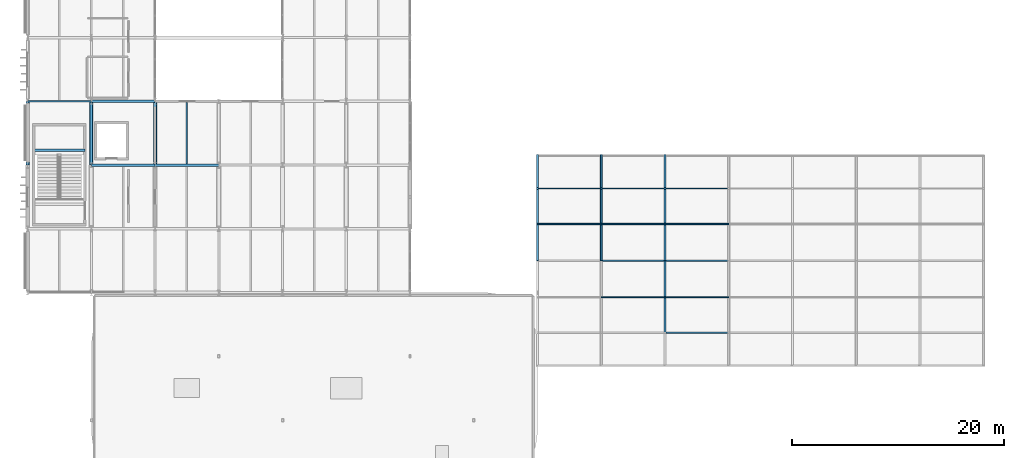
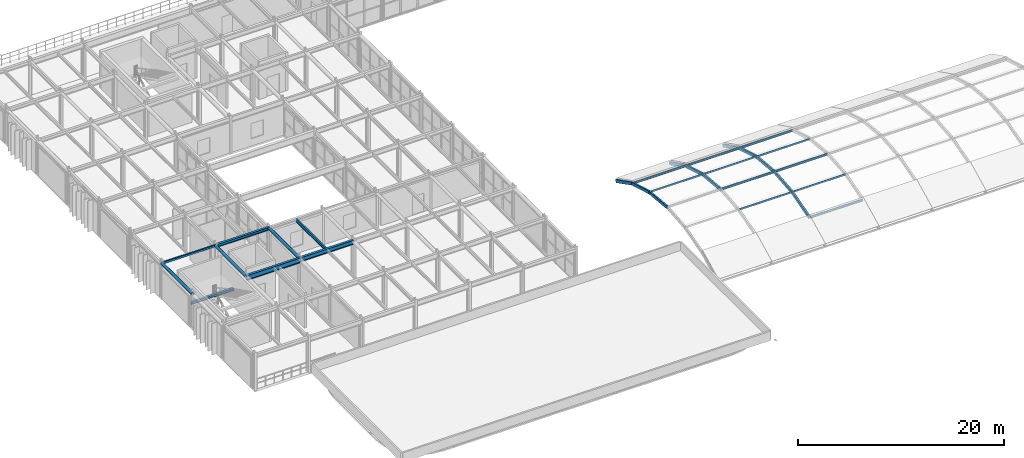
# One storey, part 24 of 84: 20 beams, 11 members.
"""IFC4 building model written with IfcOpenShell, lengths in metres."""

from ifc_helpers import new_model, si_unit, direction, frame, origin, origin_2d, place, context, subcontext, project, spatial, hollow_rectangle, hollow_circle, i_section, extrude, material, material_profile, profile_set, type_object, element, save


model = new_model("IFC4")

# Units and contexts
model_context = context("Model", 3, precision=1e-05, world=origin(), true_north=direction((0.0, 1.0)))
body_context = subcontext(model_context, "Body", "Model", "MODEL_VIEW")
ifc_project = project(units=[si_unit("LENGTHUNIT", "METRE"), si_unit("AREAUNIT", "SQUARE_METRE"), si_unit("VOLUMEUNIT", "CUBIC_METRE"), si_unit("PLANEANGLEUNIT", "RADIAN"), si_unit("MASSUNIT", "GRAM", prefix="KILO")], contexts=[model_context])

# Site, building, storey
site_placement = place(None, origin())
site = spatial("IfcSite", under=ifc_project, at=site_placement, CompositionType="ELEMENT")
building_placement = place(site_placement, origin())
building = spatial("IfcBuilding", under=site, at=building_placement, Name="Varnakota Square Police Headquarters", CompositionType="ELEMENT")
storey_placement = place(building_placement, frame((0.0, 0.0, 13.5)))
storey = spatial("IfcBuildingStorey", under=building, at=storey_placement, Name="L03", CompositionType="ELEMENT", Elevation=13.5)

# Beams
ifc_material = material(Name="Steel IS 2062 Grade 350", Category="steel")
ifc_material_profile_1 = material_profile(ifc_material, hollow_circle(Radius=0.161865234375, WallThickness=0.0126953125, at=origin_2d()), Name="CHS 323.9x12.7")
ifc_profile_set_1 = profile_set([ifc_material_profile_1], Name="Steel IS 2062 Grade 350")
beam_type_1 = type_object("IfcBeamType", Name="BM-ARC-CHS324", PredefinedType="BEAM", material=ifc_profile_set_1)
for number, where, z_axis, x_axis, name in (
    (1, (6.0, 33.0, 4.0380859375), (0.0, 1.0, 0.0), (-1.0, 0.0, 0.0), "BMG-L03-2597"),
    (2, (12.0, 33.0, 4.0380859375), (0.0, 1.0, 0.0), (-1.0, 0.0, 0.0), "BMG-L03-2611"),
    (3, (18.0, 33.0, 4.0380859375), (0.0, 1.0, 0.0), (-1.0, 0.0, 0.0), "BMG-L03-2621"),
):
    element("IfcBeam", number, at=place(storey_placement, frame(where, z_axis=z_axis, x_axis=x_axis)), inside=storey, type_object=beam_type_1, Name=name, PredefinedType="BEAM", context=body_context, shape_type="SweptSolid", body=[
        extrude(hollow_circle(Radius=0.161865234375, WallThickness=0.0126953125, at=origin_2d()), origin(), (0.0, 0.0, 1.0), 6.0),
    ])
ifc_material_profile_2 = material_profile(ifc_material, hollow_rectangle(XDim=0.14990234375, YDim=0.25, WallThickness=0.010009765625, InnerFilletRadius=0.010009765625, OuterFilletRadius=0.02001953125, at=origin_2d()), Name="RHS 250x150x10")
ifc_profile_set_2 = profile_set([ifc_material_profile_2], Name="Steel IS 2062 Grade 350")
beam_type_2 = type_object("IfcBeamType", Name="BM-CBEAM-RHS250", PredefinedType="BEAM", material=ifc_profile_set_2)
beam_1_placement = place(storey_placement, frame((6.0, 39.0, 4.074951171875), z_axis=(1.0, 0.0, 0.0), x_axis=(0.0, 1.0, 0.0)))
element("IfcBeam", 4, at=beam_1_placement, inside=storey, type_object=beam_type_2, Name="BMG-L03-2473", PredefinedType="BEAM", context=body_context, shape_type="SweptSolid", body=[
    extrude(hollow_rectangle(XDim=0.14990234375, YDim=0.25, WallThickness=0.010009765625, InnerFilletRadius=0.010009765625, OuterFilletRadius=0.02001953125, at=origin_2d()), origin(), (0.0, 0.0, 1.0), 6.0),
])
ifc_material_profile_3 = material_profile(ifc_material, i_section(OverallWidth=0.25, OverallDepth=0.300048828125, WebThickness=0.009521484375, FlangeThickness=0.010498046875, FilletRadius=0.011962890625, at=origin_2d()), Name="ISHB 300")
ifc_profile_set_3 = profile_set([ifc_material_profile_3], Name="Steel IS 2062 Grade 350")
beam_type_3 = type_object("IfcBeamType", Name="BM-ISHB300", PredefinedType="BEAM", material=ifc_profile_set_3)
beam_2_placement = place(storey_placement, frame((6.60009765625, 34.400634765625, 1.93408203125), z_axis=(1.0, 0.0, 0.0), x_axis=(0.0, 1.0, 0.0)))
element("IfcBeam", 5, at=beam_2_placement, inside=storey, type_object=beam_type_3, Name="Stair landing support beam BM-LND-0053", PredefinedType="BEAM", context=body_context, shape_type="SweptSolid", body=[
    extrude(i_section(OverallWidth=0.25, OverallDepth=0.300048828125, WebThickness=0.009521484375, FlangeThickness=0.010498046875, FilletRadius=0.011962890625, at=origin_2d()), origin(), (0.0, 0.0, 1.0), 4.7998046875),
])
ifc_material_profile_4 = material_profile(ifc_material, i_section(OverallWidth=0.25, OverallDepth=0.35009765625, WebThickness=0.010009765625, FlangeThickness=0.01171875, FilletRadius=0.011962890625, at=origin_2d()), Name="ISHB 350")
ifc_profile_set_4 = profile_set([ifc_material_profile_4], Name="Steel IS 2062 Grade 350")
beam_type_4 = type_object("IfcBeamType", Name="BM-ISHB350", PredefinedType="BEAM", material=ifc_profile_set_4)
beam_3_placement = place(storey_placement, frame((12.0, 39.0, 4.02490234375), z_axis=(1.0, 0.0, 0.0), x_axis=(0.0, 1.0, 0.0)))
element("IfcBeam", 6, at=beam_3_placement, inside=storey, type_object=beam_type_4, Name="BMG-L03-2474", PredefinedType="BEAM", context=body_context, shape_type="SweptSolid", body=[
    extrude(i_section(OverallWidth=0.25, OverallDepth=0.35009765625, WebThickness=0.010009765625, FlangeThickness=0.01171875, FilletRadius=0.011962890625, at=origin_2d()), origin(), (0.0, 0.0, 1.0), 6.0),
])
ifc_material_profile_5 = material_profile(ifc_material, i_section(OverallWidth=0.139892578125, OverallDepth=0.39990234375, WebThickness=0.0087890625, FlangeThickness=0.01611328125, FilletRadius=0.013916015625, at=origin_2d()), Name="ISMB 400")
ifc_profile_set_5 = profile_set([ifc_material_profile_5], Name="Steel IS 2062 Grade 350")
beam_type_5 = type_object("IfcBeamType", Name="BM-ISMB400", PredefinedType="JOIST", material=ifc_profile_set_5)
beam_4_placement = place(storey_placement, frame((21.0, 33.123046875, 4.0), z_axis=(0.0, 1.0, 0.0), x_axis=(-1.0, 0.0, 0.0)))
element("IfcBeam", 7, at=beam_4_placement, inside=storey, type_object=beam_type_5, Name="BMG-L03-2775", PredefinedType="JOIST", context=body_context, shape_type="SweptSolid", body=[
    extrude(i_section(OverallWidth=0.139892578125, OverallDepth=0.39990234375, WebThickness=0.0087890625, FlangeThickness=0.01611328125, FilletRadius=0.013916015625, at=origin_2d()), origin(), (0.0, 0.0, 1.0), 5.75390625),
])
ifc_material_profile_6 = material_profile(ifc_material, i_section(OverallWidth=0.25, OverallDepth=0.5, WebThickness=0.010009765625, FlangeThickness=0.0146484375, FilletRadius=0.014892578125, at=origin_2d()), Name="ISWB 500")
ifc_profile_set_6 = profile_set([ifc_material_profile_6], Name="Steel IS 2062 Grade 350")
beam_type_6 = type_object("IfcBeamType", Name="BM-ISWB500", PredefinedType="BEAM", material=ifc_profile_set_6)
beam_5_placement = place(storey_placement, frame((18.0, 33.0, 3.949951171875), z_axis=(1.0, 0.0, 0.0), x_axis=(0.0, 1.0, 0.0)))
element("IfcBeam", 8, at=beam_5_placement, inside=storey, type_object=beam_type_6, Name="BMG-L03-2466", PredefinedType="BEAM", context=body_context, shape_type="SweptSolid", body=[
    extrude(i_section(OverallWidth=0.25, OverallDepth=0.5, WebThickness=0.010009765625, FlangeThickness=0.0146484375, FilletRadius=0.014892578125, at=origin_2d()), origin(), (0.0, 0.0, 1.0), 6.0),
])
ifc_material_profile_7 = material_profile(ifc_material, i_section(OverallWidth=0.25, OverallDepth=0.60009765625, WebThickness=0.01171875, FlangeThickness=0.023681640625, FilletRadius=0.01708984375, at=origin_2d()), Name="ISWB 600")
ifc_profile_set_7 = profile_set([ifc_material_profile_7], Name="Steel IS 2062 Grade 350")
beam_type_7 = type_object("IfcBeamType", Name="BM-ISWB600", PredefinedType="BEAM", material=ifc_profile_set_7)
beam_6_placement = place(storey_placement, frame((12.0, 33.0, 3.89990234375), z_axis=(1.0, 0.0, 0.0), x_axis=(0.0, 1.0, 0.0)))
element("IfcBeam", 9, at=beam_6_placement, inside=storey, type_object=beam_type_7, Name="BMG-L03-2465", PredefinedType="BEAM", context=body_context, shape_type="SweptSolid", body=[
    extrude(i_section(OverallWidth=0.25, OverallDepth=0.60009765625, WebThickness=0.01171875, FlangeThickness=0.023681640625, FilletRadius=0.01708984375, at=origin_2d()), origin(), (0.0, 0.0, 1.0), 6.0),
])
ifc_material_profile_8 = material_profile(ifc_material, hollow_rectangle(XDim=0.199951171875, YDim=0.35009765625, WallThickness=0.011962890625, InnerFilletRadius=0.011962890625, OuterFilletRadius=0.02392578125, at=origin_2d()), Name="RHS 350x200x12")
ifc_profile_set_8 = profile_set([ifc_material_profile_8], Name="Steel IS 2062 Grade 350")
beam_type_8 = type_object("IfcBeamType", Name="BM-VR-RHS350", PredefinedType="BEAM", material=ifc_profile_set_8)
beam_7_placement = place(storey_placement, frame((54.0, 24.0, 2.976318359375), z_axis=(0.0, 0.995573175043, -0.093989643767), x_axis=(-1.0, 0.0, 0.0)))
element("IfcBeam", 10, at=beam_7_placement, inside=storey, type_object=beam_type_8, Name="Barrel vault arch rib chord VR-V1-R01-S06", PredefinedType="BEAM", context=body_context, shape_type="SweptSolid", body=[
    extrude(hollow_rectangle(XDim=0.199951171875, YDim=0.35009765625, WallThickness=0.011962890625, InnerFilletRadius=0.011962890625, OuterFilletRadius=0.02392578125, at=origin_2d()), origin(), (0.0, 0.0, 1.0), 3.472900390625),
])
beam_8_placement = place(storey_placement, frame((54.0, 27.45751953125, 2.64990234375), z_axis=(0.0, 0.96071126913, -0.277549738544), x_axis=(-1.0, 0.0, 0.0)))
element("IfcBeam", 11, at=beam_8_placement, inside=storey, type_object=beam_type_8, Name="Barrel vault arch rib chord VR-V1-R01-S07", PredefinedType="BEAM", context=body_context, shape_type="SweptSolid", body=[
    extrude(hollow_rectangle(XDim=0.199951171875, YDim=0.35009765625, WallThickness=0.011962890625, InnerFilletRadius=0.011962890625, OuterFilletRadius=0.02392578125, at=origin_2d()), origin(), (0.0, 0.0, 1.0), 3.475341796875),
])
beam_9_placement = place(storey_placement, frame((54.0, 30.79638671875, 1.685302734375), z_axis=(0.0, 0.892214040756, -0.451612782677), x_axis=(-1.0, 0.0, 0.0)))
element("IfcBeam", 12, at=beam_9_placement, inside=storey, type_object=beam_type_8, Name="Barrel vault arch rib chord VR-V1-R01-S08", PredefinedType="BEAM", context=body_context, shape_type="SweptSolid", body=[
    extrude(hollow_rectangle(XDim=0.199951171875, YDim=0.35009765625, WallThickness=0.011962890625, InnerFilletRadius=0.011962890625, OuterFilletRadius=0.02392578125, at=origin_2d()), origin(), (0.0, 0.0, 1.0), 3.48095703125),
])
beam_10_placement = place(storey_placement, frame((60.0, 24.0, 2.976318359375), z_axis=(0.0, 0.995573175043, -0.093989643767), x_axis=(-1.0, 0.0, 0.0)))
element("IfcBeam", 13, at=beam_10_placement, inside=storey, type_object=beam_type_8, Name="Barrel vault arch rib chord VR-V1-R02-S06", PredefinedType="BEAM", context=body_context, shape_type="SweptSolid", body=[
    extrude(hollow_rectangle(XDim=0.199951171875, YDim=0.35009765625, WallThickness=0.011962890625, InnerFilletRadius=0.011962890625, OuterFilletRadius=0.02392578125, at=origin_2d()), origin(), (0.0, 0.0, 1.0), 3.472900390625),
])
beam_11_placement = place(storey_placement, frame((60.0, 27.45751953125, 2.64990234375), z_axis=(0.0, 0.96071126913, -0.277549738544), x_axis=(-1.0, 0.0, 0.0)))
element("IfcBeam", 14, at=beam_11_placement, inside=storey, type_object=beam_type_8, Name="Barrel vault arch rib chord VR-V1-R02-S07", PredefinedType="BEAM", context=body_context, shape_type="SweptSolid", body=[
    extrude(hollow_rectangle(XDim=0.199951171875, YDim=0.35009765625, WallThickness=0.011962890625, InnerFilletRadius=0.011962890625, OuterFilletRadius=0.02392578125, at=origin_2d()), origin(), (0.0, 0.0, 1.0), 3.475341796875),
])
beam_12_placement = place(storey_placement, frame((60.0, 30.79638671875, 1.685302734375), z_axis=(0.0, 0.892214040756, -0.451612782677), x_axis=(-1.0, 0.0, 0.0)))
element("IfcBeam", 15, at=beam_12_placement, inside=storey, type_object=beam_type_8, Name="Barrel vault arch rib chord VR-V1-R02-S08", PredefinedType="BEAM", context=body_context, shape_type="SweptSolid", body=[
    extrude(hollow_rectangle(XDim=0.199951171875, YDim=0.35009765625, WallThickness=0.011962890625, InnerFilletRadius=0.011962890625, OuterFilletRadius=0.02392578125, at=origin_2d()), origin(), (0.0, 0.0, 1.0), 3.48095703125),
])
beam_13_placement = place(storey_placement, frame((66.0, 17.20361328125, 1.685302734375), z_axis=(0.0, 0.96071126913, 0.277549738544), x_axis=(-1.0, 0.0, 0.0)))
element("IfcBeam", 16, at=beam_13_placement, inside=storey, type_object=beam_type_8, Name="Barrel vault arch rib chord VR-V1-R03-S04", PredefinedType="BEAM", context=body_context, shape_type="SweptSolid", body=[
    extrude(hollow_rectangle(XDim=0.199951171875, YDim=0.35009765625, WallThickness=0.011962890625, InnerFilletRadius=0.011962890625, OuterFilletRadius=0.02392578125, at=origin_2d()), origin(), (0.0, 0.0, 1.0), 3.475341796875),
])
for number, where, z_axis, x_axis, name in (
    (17, (66.0, 20.54248046875, 2.64990234375), (0.0, 0.995573175043, 0.093989643767), (-1.0, 0.0, 0.0), "Barrel vault arch rib chord VR-V1-R03-S05"),
    (18, (66.0, 24.0, 2.976318359375), (0.0, 0.995573175043, -0.093989643767), (-1.0, 0.0, 0.0), "Barrel vault arch rib chord VR-V1-R03-S06"),
):
    element("IfcBeam", number, at=place(storey_placement, frame(where, z_axis=z_axis, x_axis=x_axis)), inside=storey, type_object=beam_type_8, Name=name, PredefinedType="BEAM", context=body_context, shape_type="SweptSolid", body=[
        extrude(hollow_rectangle(XDim=0.199951171875, YDim=0.35009765625, WallThickness=0.011962890625, InnerFilletRadius=0.011962890625, OuterFilletRadius=0.02392578125, at=origin_2d()), origin(), (0.0, 0.0, 1.0), 3.472900390625),
    ])
beam_14_placement = place(storey_placement, frame((66.0, 27.45751953125, 2.64990234375), z_axis=(0.0, 0.96071126913, -0.277549738544), x_axis=(-1.0, 0.0, 0.0)))
element("IfcBeam", 19, at=beam_14_placement, inside=storey, type_object=beam_type_8, Name="Barrel vault arch rib chord VR-V1-R03-S07", PredefinedType="BEAM", context=body_context, shape_type="SweptSolid", body=[
    extrude(hollow_rectangle(XDim=0.199951171875, YDim=0.35009765625, WallThickness=0.011962890625, InnerFilletRadius=0.011962890625, OuterFilletRadius=0.02392578125, at=origin_2d()), origin(), (0.0, 0.0, 1.0), 3.475341796875),
])
beam_15_placement = place(storey_placement, frame((66.0, 30.79638671875, 1.685302734375), z_axis=(0.0, 0.892214040756, -0.451612782677), x_axis=(-1.0, 0.0, 0.0)))
element("IfcBeam", 20, at=beam_15_placement, inside=storey, type_object=beam_type_8, Name="Barrel vault arch rib chord VR-V1-R03-S08", PredefinedType="BEAM", context=body_context, shape_type="SweptSolid", body=[
    extrude(hollow_rectangle(XDim=0.199951171875, YDim=0.35009765625, WallThickness=0.011962890625, InnerFilletRadius=0.011962890625, OuterFilletRadius=0.02392578125, at=origin_2d()), origin(), (0.0, 0.0, 1.0), 3.48095703125),
])

# Members
ifc_material_profile_9 = material_profile(ifc_material, i_section(OverallWidth=0.125, OverallDepth=0.25, WebThickness=0.0068359375, FlangeThickness=0.012451171875, FilletRadius=0.012939453125, at=origin_2d()), Name="ISMB 250")
ifc_profile_set_9 = profile_set([ifc_material_profile_9], Name="Steel IS 2062 Grade 350")
member_type_1 = type_object("IfcMemberType", Name="MEM-PUR-ISMB250", PredefinedType="PURLIN", material=ifc_profile_set_9)
for number, where, z_axis, x_axis, name in (
    (21, (54.0, 30.79638671875, 1.697998046875), (1.0, 0.0, 0.0), (0.0, 1.0, 0.0), "Vault roof purlin V1-B01-N07"),
    (22, (60.0, 24.0, 3.0146484375), (1.0, 0.0, 0.0), (0.0, 1.0, 0.0), "Vault roof purlin V1-B02-N05"),
    (23, (60.0, 30.79638671875, 1.697998046875), (1.0, 0.0, 0.0), (0.0, 1.0, 0.0), "Vault roof purlin V1-B02-N07"),
    (24, (66.0, 17.20361328125, 1.697998046875), (1.0, 0.0, 0.0), (0.0, 1.0, 0.0), "Vault roof purlin V1-B03-N03"),
    (25, (66.0, 24.0, 3.0146484375), (1.0, 0.0, 0.0), (0.0, 1.0, 0.0), "Vault roof purlin V1-B03-N05"),
    (26, (66.0, 30.79638671875, 1.697998046875), (1.0, 0.0, 0.0), (0.0, 1.0, 0.0), "Vault roof purlin V1-B03-N07"),
):
    element("IfcMember", number, at=place(storey_placement, frame(where, z_axis=z_axis, x_axis=x_axis)), inside=storey, type_object=member_type_1, Name=name, PredefinedType="PURLIN", context=body_context, shape_type="SweptSolid", body=[
        extrude(i_section(OverallWidth=0.125, OverallDepth=0.25, WebThickness=0.0068359375, FlangeThickness=0.012451171875, FilletRadius=0.012939453125, at=origin_2d()), origin(), (0.0, 0.0, 1.0), 6.0),
    ])
ifc_material_profile_10 = material_profile(ifc_material, hollow_rectangle(XDim=0.10009765625, YDim=0.199951171875, WallThickness=0.008056640625, InnerFilletRadius=0.008056640625, OuterFilletRadius=0.01611328125, at=origin_2d()), Name="RHS 200x100x8")
ifc_profile_set_10 = profile_set([ifc_material_profile_10], Name="Steel IS 2062 Grade 350")
member_type_2 = type_object("IfcMemberType", Name="MEM-PUR-RHS200", PredefinedType="PURLIN", material=ifc_profile_set_10)
for number, where, z_axis, x_axis, name in (
    (27, (54.0, 27.45751953125, 2.70458984375), (1.0, 0.0, 0.0), (0.0, 1.0, 0.0), "Vault roof purlin V1-B01-N06"),
    (28, (60.0, 20.54248046875, 2.70458984375), (1.0, 0.0, 0.0), (0.0, 1.0, 0.0), "Vault roof purlin V1-B02-N04"),
    (29, (60.0, 27.45751953125, 2.70458984375), (1.0, 0.0, 0.0), (0.0, 1.0, 0.0), "Vault roof purlin V1-B02-N06"),
    (30, (66.0, 20.54248046875, 2.70458984375), (1.0, 0.0, 0.0), (0.0, 1.0, 0.0), "Vault roof purlin V1-B03-N04"),
    (31, (66.0, 27.45751953125, 2.70458984375), (1.0, 0.0, 0.0), (0.0, 1.0, 0.0), "Vault roof purlin V1-B03-N06"),
):
    element("IfcMember", number, at=place(storey_placement, frame(where, z_axis=z_axis, x_axis=x_axis)), inside=storey, type_object=member_type_2, Name=name, PredefinedType="PURLIN", context=body_context, shape_type="SweptSolid", body=[
        extrude(hollow_rectangle(XDim=0.10009765625, YDim=0.199951171875, WallThickness=0.008056640625, InnerFilletRadius=0.008056640625, OuterFilletRadius=0.01611328125, at=origin_2d()), origin(), (0.0, 0.0, 1.0), 6.0),
    ])

save(model, "model.ifc")
